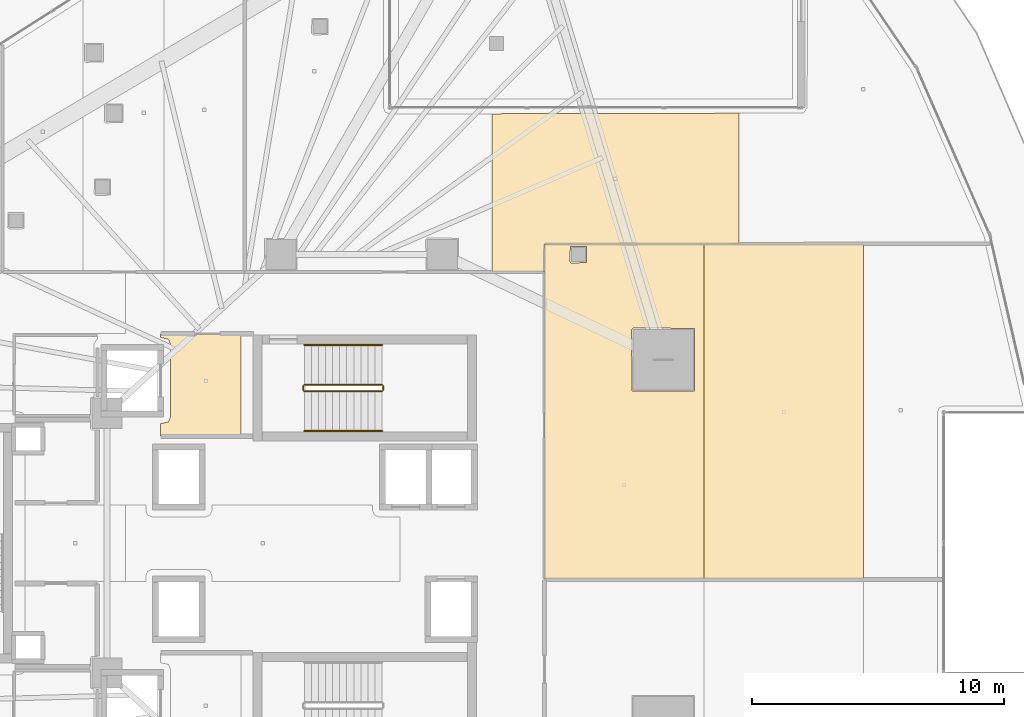
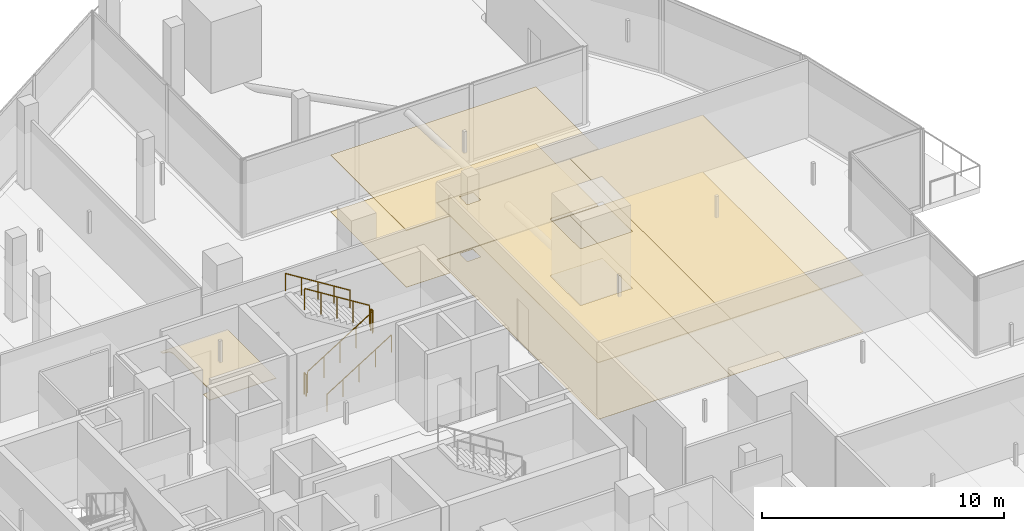
# One storey, part 43 of 44: 7 coverings, 6 railings.
"""IFC4 building model written with IfcOpenShell, lengths in metres."""

from ifc_helpers import new_model, si_unit, direction, frame, origin, origin_2d, place, context, subcontext, project, spatial, polyline, circle, outline, extrude, material, layer, layer_set, type_object, element, save


model = new_model("IFC4")

# Units and contexts
model_context = context("Model", 3, precision=1e-05, world=origin(), true_north=direction((0.0, 1.0)))
body_context = subcontext(model_context, "Body", "Model", "MODEL_VIEW")
ifc_project = project(units=[si_unit("LENGTHUNIT", "METRE"), si_unit("AREAUNIT", "SQUARE_METRE"), si_unit("VOLUMEUNIT", "CUBIC_METRE"), si_unit("PLANEANGLEUNIT", "RADIAN"), si_unit("MASSUNIT", "GRAM", prefix="KILO")], contexts=[model_context])

# Site, building, storey
site_placement = place(None, origin())
site = spatial("IfcSite", under=ifc_project, at=site_placement, CompositionType="ELEMENT")
building_placement = place(site_placement, origin())
building = spatial("IfcBuilding", under=site, at=building_placement, Name="Qorvath Tower", CompositionType="ELEMENT")
storey_placement = place(building_placement, frame((0.0, 0.0, 78.60009765625)))
storey = spatial("IfcBuildingStorey", under=building, at=storey_placement, Name="L17", CompositionType="ELEMENT", Elevation=78.60009765625)

# Coverings
ifc_material_1 = material(Name="Acoustic mineral fibre ceiling tile", Category="gypsum")
ifc_layer_1 = layer(ifc_material_1, 0.030029296875)
ifc_layer_set_1 = layer_set([ifc_layer_1], Name="COV-CEIL")
covering_type_1 = type_object("IfcCoveringType", Name="COV-CEIL", PredefinedType="CEILING", material=ifc_layer_set_1)
covering_1_placement = place(storey_placement, frame((0.0, 0.0, 2.849853515625)))
element("IfcCovering", 1, at=covering_1_placement, inside=storey, type_object=covering_type_1, Name="L17 Suspended Acoustic Ceiling 001", PredefinedType="CEILING", context=body_context, shape_type="SweptSolid", body=[
    extrude(outline(polyline([(-25.18994140625, 4.2548828125), (-25.18994140625, 8.294921875), (-28.375, 8.294921875), (-28.375, 8.159912109375), (-28.063232421875, 8.086669921875), (-27.989990234375, 7.909912109375), (-27.989990234375, 4.989990234375), (-28.063232421875, 4.813232421875), (-28.375, 4.739990234375), (-28.375, 4.2548828125), (-25.18994140625, 4.2548828125)])), origin(), (0.0, 0.0, 1.0), 0.030029296875),
])
covering_2_placement = place(storey_placement, frame((0.0, 0.0, 2.849853515625)))
element("IfcCovering", 2, at=covering_2_placement, inside=storey, type_object=covering_type_1, Name="L17 Suspended Acoustic Ceiling 014", PredefinedType="CEILING", context=body_context, shape_type="SweptSolid", body=[
    extrude(outline(polyline([(-13.153564453125, 11.8740234375), (-5.435546875, 11.878173828125), (-5.435546875, 17.057373046875), (-15.228271484375, 17.034423828125), (-15.228271484375, 10.762939453125), (-13.155029296875, 10.762939453125), (-13.153564453125, 11.8740234375)])), origin(), (0.0, 0.0, 1.0), 0.030029296875),
])
covering_3_placement = place(storey_placement, frame((0.0, 0.0, 2.849853515625)))
element("IfcCovering", 3, at=covering_3_placement, inside=storey, type_object=covering_type_1, Name="L17 Suspended Acoustic Ceiling 034", PredefinedType="CEILING", context=body_context, shape_type="SweptSolid", body=[
    extrude(outline(polyline([(-6.814208984375, -1.428466796875), (-6.814208984375, 11.8603515625), (-13.136962890625, 11.857666015625), (-13.136962890625, -1.428466796875), (-6.814208984375, -1.428466796875)]), holes=[polyline([(-9.690185546875, 8.476318359375), (-9.63037109375, 8.536376953125), (-7.18798828125, 8.518798828125), (-7.18798828125, 6.033935546875), (-9.672607421875, 6.033935546875), (-9.690185546875, 8.476318359375)]), polyline([(-12.135009765625, 11.175048828125), (-12.117431640625, 11.767333984375), (-11.482666015625, 11.767333984375), (-11.482666015625, 11.132568359375), (-12.074951171875, 11.114990234375), (-12.135009765625, 11.175048828125)])]), origin(), (0.0, 0.0, 1.0), 0.030029296875),
])
covering_4_placement = place(storey_placement, frame((0.0, 0.0, 2.849853515625)))
element("IfcCovering", 4, at=covering_4_placement, inside=storey, type_object=covering_type_1, Name="L17 Suspended Acoustic Ceiling 035", PredefinedType="CEILING", context=body_context, shape_type="SweptSolid", body=[
    extrude(outline(polyline([(-0.491455078125, -1.428466796875), (-0.491455078125, 11.863037109375), (-6.814208984375, 11.8603515625), (-6.814208984375, -1.428466796875), (-0.491455078125, -1.428466796875)])), origin(), (0.0, 0.0, 1.0), 0.030029296875),
])
ifc_material_2 = material(Name="Low-VOC modular carpet tile", Category="textile")
ifc_layer_2 = layer(ifc_material_2, 0.014892578125)
ifc_layer_set_2 = layer_set([ifc_layer_2], Name="COV-FLOOR-CPT")
covering_type_2 = type_object("IfcCoveringType", Name="COV-FLOOR-CPT", PredefinedType="FLOORING", material=ifc_layer_set_2)
covering_5_placement = place(storey_placement, origin())
element("IfcCovering", 5, at=covering_5_placement, inside=storey, type_object=covering_type_2, Name="L17 Floor Finish 014", PredefinedType="FLOORING", context=body_context, shape_type="SweptSolid", body=[
    extrude(outline(polyline([(-13.153564453125, 11.8740234375), (-5.435546875, 11.878173828125), (-5.435546875, 17.057373046875), (-15.228271484375, 17.034423828125), (-15.228271484375, 10.762939453125), (-13.155029296875, 10.762939453125), (-13.153564453125, 11.8740234375)])), origin(), (0.0, 0.0, 1.0), 0.014892578125),
])
covering_6_placement = place(storey_placement, origin())
element("IfcCovering", 6, at=covering_6_placement, inside=storey, type_object=covering_type_2, Name="L17 Floor Finish 034", PredefinedType="FLOORING", context=body_context, shape_type="SweptSolid", body=[
    extrude(outline(polyline([(-6.814208984375, -1.428466796875), (-6.814208984375, 11.8603515625), (-13.136962890625, 11.857666015625), (-13.136962890625, -1.428466796875), (-6.814208984375, -1.428466796875)]), holes=[polyline([(-9.690185546875, 8.476318359375), (-9.63037109375, 8.536376953125), (-7.18798828125, 8.518798828125), (-7.18798828125, 6.033935546875), (-9.672607421875, 6.033935546875), (-9.690185546875, 8.476318359375)]), polyline([(-12.135009765625, 11.175048828125), (-12.117431640625, 11.767333984375), (-11.482666015625, 11.767333984375), (-11.482666015625, 11.132568359375), (-12.074951171875, 11.114990234375), (-12.135009765625, 11.175048828125)])]), origin(), (0.0, 0.0, 1.0), 0.014892578125),
])
covering_7_placement = place(storey_placement, origin())
element("IfcCovering", 7, at=covering_7_placement, inside=storey, type_object=covering_type_2, Name="L17 Floor Finish 035", PredefinedType="FLOORING", context=body_context, shape_type="SweptSolid", body=[
    extrude(outline(polyline([(-0.491455078125, -1.428466796875), (-0.491455078125, 11.863037109375), (-6.814208984375, 11.8603515625), (-6.814208984375, -1.428466796875), (-0.491455078125, -1.428466796875)])), origin(), (0.0, 0.0, 1.0), 0.014892578125),
])

# Railings
ifc_material_3 = material(Name="Painted galvanised steel", Category="steel")
railing_type_1 = type_object("IfcRailingType", Name="RL-STR-GRD", PredefinedType="GUARDRAIL", material=ifc_material_3)
railing_1_placement = place(storey_placement, frame((-22.669921875, 6.030029296875, 0.1748046875)))
element("IfcRailing", 8, at=railing_1_placement, inside=storey, type_object=railing_type_1, Name="L17 TS1 stair guard 1", PredefinedType="GUARDRAIL", context=body_context, shape_type="SweptSolid", body=[
    extrude(circle(Radius=0.02392578125, at=origin_2d()), frame((0.0, 0.0, 1.076171875), z_axis=(0.847979421464, 0.0, 0.530029150871), x_axis=(0.0, 1.0, 0.0)), (0.0, 0.0, 1.0), 3.632080078125),
    extrude(circle(Radius=0.02099609375, at=origin_2d()), origin(), (0.0, 0.0, 1.0), 1.052001953125),
    extrude(circle(Radius=0.02099609375, at=origin_2d()), frame((0.77001953125, 0.0, 0.481201171875)), (0.0, 0.0, 1.0), 1.052001953125),
    extrude(circle(Radius=0.02099609375, at=origin_2d()), frame((1.5400390625, 0.0, 0.96240234375)), (0.0, 0.0, 1.0), 1.052001953125),
    extrude(circle(Radius=0.02099609375, at=origin_2d()), frame((2.309814453125, 0.0, 1.44384765625)), (0.0, 0.0, 1.0), 1.052001953125),
    extrude(circle(Radius=0.02099609375, at=origin_2d()), frame((3.079833984375, 0.0, 1.925048828125)), (0.0, 0.0, 1.0), 1.052001953125),
])
railing_2_placement = place(storey_placement, frame((-19.5400390625, 6.080078125, 2.099853515625)))
element("IfcRailing", 9, at=railing_2_placement, inside=storey, type_object=railing_type_1, Name="L17 TS1 stair guard 2", PredefinedType="GUARDRAIL", context=body_context, shape_type="SweptSolid", body=[
    extrude(circle(Radius=0.02392578125, at=origin_2d()), frame((0.0, 0.0, 1.076171875), z_axis=(0.0, 1.0, 0.0), x_axis=(-1.0, 0.0, 0.0)), (0.0, 0.0, 1.0), 0.14990234375),
    extrude(circle(Radius=0.02099609375, at=origin_2d()), origin(), (0.0, 0.0, 1.0), 1.052001953125),
    extrude(circle(Radius=0.02099609375, at=origin_2d()), frame((0.0, 0.14990234375, 0.0)), (0.0, 0.0, 1.0), 1.052001953125),
])
railing_3_placement = place(storey_placement, frame((-19.590087890625, 6.280029296875, 2.27490234375)))
element("IfcRailing", 10, at=railing_3_placement, inside=storey, type_object=railing_type_1, Name="L17 TS1 stair guard 3", PredefinedType="GUARDRAIL", context=body_context, shape_type="SweptSolid", body=[
    extrude(circle(Radius=0.02392578125, at=origin_2d()), frame((0.0, 0.0, 1.076171875), z_axis=(-0.847979421464, 0.0, 0.530029150871), x_axis=(0.0, -1.0, 0.0)), (0.0, 0.0, 1.0), 3.632080078125),
    extrude(circle(Radius=0.02099609375, at=origin_2d()), origin(), (0.0, 0.0, 1.0), 1.052001953125),
    extrude(circle(Radius=0.02099609375, at=origin_2d()), frame((-0.77001953125, 0.0, 0.481201171875)), (0.0, 0.0, 1.0), 1.052001953125),
    extrude(circle(Radius=0.02099609375, at=origin_2d()), frame((-1.5400390625, 0.0, 0.96240234375)), (0.0, 0.0, 1.0), 1.052001953125),
    extrude(circle(Radius=0.02099609375, at=origin_2d()), frame((-2.309814453125, 0.0, 1.44384765625)), (0.0, 0.0, 1.0), 1.052001953125),
    extrude(circle(Radius=0.02099609375, at=origin_2d()), frame((-3.079833984375, 0.0, 1.925048828125)), (0.0, 0.0, 1.0), 1.052001953125),
])
railing_4_placement = place(storey_placement, frame((-22.719970703125, 6.080078125, 0.0)))
element("IfcRailing", 11, at=railing_4_placement, inside=storey, type_object=railing_type_1, Name="L17 TS1 stair guard 4", PredefinedType="GUARDRAIL", context=body_context, shape_type="SweptSolid", body=[
    extrude(circle(Radius=0.02392578125, at=origin_2d()), frame((0.0, 0.0, 1.076171875), z_axis=(0.0, 1.0, 0.0), x_axis=(-1.0, 0.0, 0.0)), (0.0, 0.0, 1.0), 0.14990234375),
    extrude(circle(Radius=0.02099609375, at=origin_2d()), origin(), (0.0, 0.0, 1.0), 1.052001953125),
    extrude(circle(Radius=0.02099609375, at=origin_2d()), frame((0.0, 0.14990234375, 0.0)), (0.0, 0.0, 1.0), 1.052001953125),
])
ifc_material_4 = material(Name="Brushed stainless steel AISI 304", Category="steel")
railing_type_2 = type_object("IfcRailingType", Name="RL-STR-HND", PredefinedType="HANDRAIL", material=ifc_material_4)
railing_5_placement = place(storey_placement, frame((-22.669921875, 4.449951171875, 0.1748046875)))
element("IfcRailing", 12, at=railing_5_placement, inside=storey, type_object=railing_type_2, Name="L17 TS1 stair handrail 1", PredefinedType="HANDRAIL", context=body_context, shape_type="SweptSolid", body=[
    extrude(circle(Radius=0.02392578125, at=origin_2d()), frame((0.0, 0.0, 0.8759765625), z_axis=(0.847979421464, 0.0, 0.530029150871), x_axis=(0.0, 1.0, 0.0)), (0.0, 0.0, 1.0), 3.632080078125),
    extrude(circle(Radius=0.02099609375, at=origin_2d()), origin(), (0.0, 0.0, 1.0), 0.851806640625),
    extrude(circle(Radius=0.02099609375, at=origin_2d()), frame((0.77001953125, 0.0, 0.481201171875)), (0.0, 0.0, 1.0), 0.851806640625),
    extrude(circle(Radius=0.02099609375, at=origin_2d()), frame((1.5400390625, 0.0, 0.96240234375)), (0.0, 0.0, 1.0), 0.851806640625),
    extrude(circle(Radius=0.02099609375, at=origin_2d()), frame((2.309814453125, 0.0, 1.44384765625)), (0.0, 0.0, 1.0), 0.851806640625),
    extrude(circle(Radius=0.02099609375, at=origin_2d()), frame((3.079833984375, 0.0, 1.925048828125)), (0.0, 0.0, 1.0), 0.851806640625),
])
railing_6_placement = place(storey_placement, frame((-19.590087890625, 7.860107421875, 2.27490234375)))
element("IfcRailing", 13, at=railing_6_placement, inside=storey, type_object=railing_type_2, Name="L17 TS1 stair handrail 2", PredefinedType="HANDRAIL", context=body_context, shape_type="SweptSolid", body=[
    extrude(circle(Radius=0.02392578125, at=origin_2d()), frame((0.0, 0.0, 0.8759765625), z_axis=(-0.847979421464, 0.0, 0.530029150871), x_axis=(0.0, -1.0, 0.0)), (0.0, 0.0, 1.0), 3.632080078125),
    extrude(circle(Radius=0.02099609375, at=origin_2d()), origin(), (0.0, 0.0, 1.0), 0.851806640625),
    extrude(circle(Radius=0.02099609375, at=origin_2d()), frame((-0.77001953125, 0.0, 0.481201171875)), (0.0, 0.0, 1.0), 0.851806640625),
    extrude(circle(Radius=0.02099609375, at=origin_2d()), frame((-1.5400390625, 0.0, 0.96240234375)), (0.0, 0.0, 1.0), 0.851806640625),
    extrude(circle(Radius=0.02099609375, at=origin_2d()), frame((-2.309814453125, 0.0, 1.44384765625)), (0.0, 0.0, 1.0), 0.851806640625),
    extrude(circle(Radius=0.02099609375, at=origin_2d()), frame((-3.079833984375, 0.0, 1.925048828125)), (0.0, 0.0, 1.0), 0.851806640625),
])

save(model, "model.ifc")
